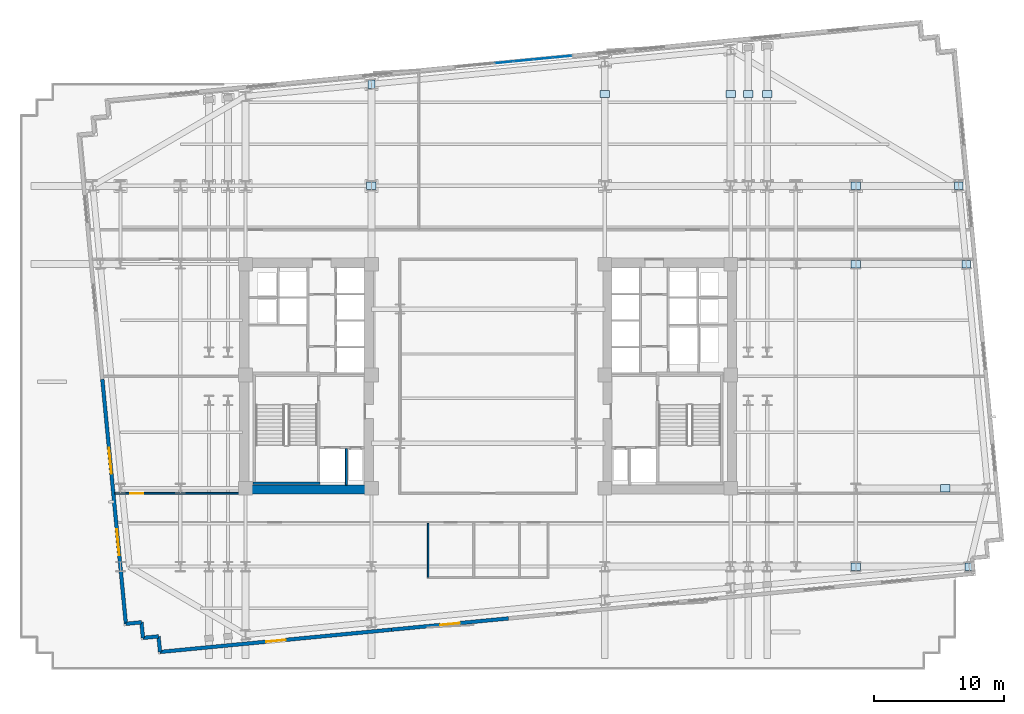
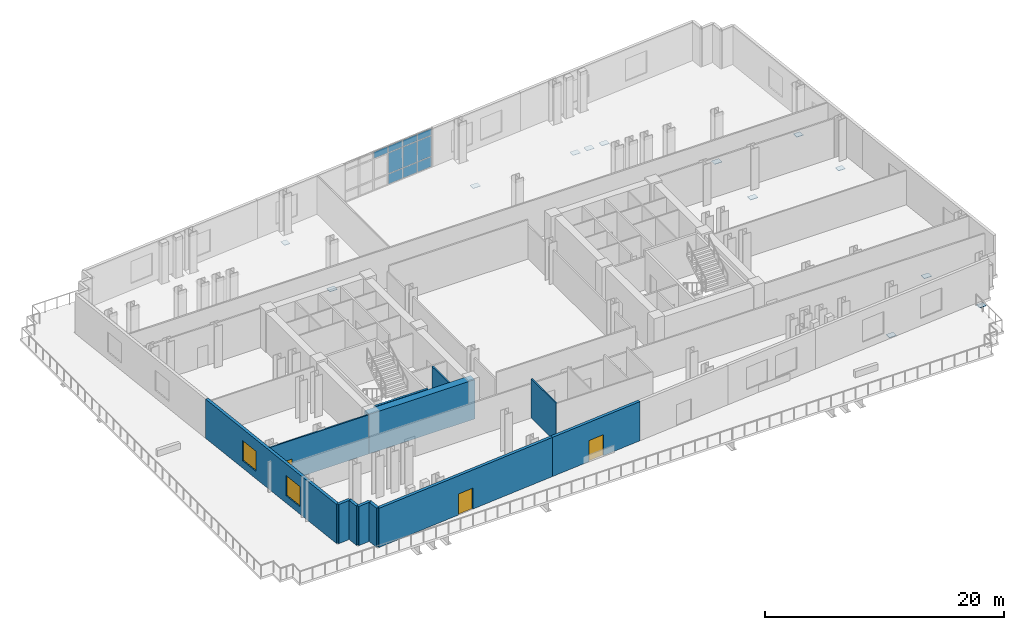
# One storey, part 5 of 14: 23 plates, 12 walls, 3 doors, 2 windows, 5 openings, 1 element without a shape of its own.
"""IFC4 building model written with IfcOpenShell, lengths in metres."""

from ifc_helpers import new_model, si_unit, direction, frame, frame_2d, origin, origin_2d, place, context, subcontext, project, spatial, rectangle, extrude, material, layer, layer_set, type_object, element, fill, aggregate, save


model = new_model("IFC4")

# Units and contexts
model_context = context("Model", 3, precision=1e-05, world=origin(), true_north=direction((0.0, 1.0)))
body_context = subcontext(model_context, "Body", "Model", "MODEL_VIEW")
ifc_project = project(units=[si_unit("LENGTHUNIT", "METRE"), si_unit("AREAUNIT", "SQUARE_METRE"), si_unit("VOLUMEUNIT", "CUBIC_METRE"), si_unit("PLANEANGLEUNIT", "RADIAN"), si_unit("MASSUNIT", "GRAM", prefix="KILO")], contexts=[model_context])

# Site, building, storey
site_placement = place(None, origin())
site = spatial("IfcSite", under=ifc_project, at=site_placement, CompositionType="ELEMENT")
building_placement = place(site_placement, origin())
building = spatial("IfcBuilding", under=site, at=building_placement, Name="Velakula Bourse", CompositionType="ELEMENT")
storey_placement = place(building_placement, frame((0.0, 0.0, 70.0)))
storey = spatial("IfcBuildingStorey", under=building, at=storey_placement, Name="L18", CompositionType="ELEMENT", Elevation=70.0)

# Plates
ifc_material_1 = material(Name="Steel IS 2062 Grade 350 (E350)", Category="steel")
ifc_layer_1 = layer(ifc_material_1, 0.0400390625, Name="Steel IS 2062 Grade 350 (E350)", Category="steel")
ifc_layer_set_1 = layer_set([ifc_layer_1], Name="Steel IS 2062 Grade 350 (E350)")
plate_type_1 = type_object("IfcPlateType", Name="PLT-NODE-TRF", PredefinedType="USERDEFINED", material=ifc_layer_set_1)
plate_1_placement = place(storey_placement, frame((-8.949951171875, 22.398193359375, -1.050048828125), z_axis=(0.0, 0.0, 1.0), x_axis=(0.0, 1.0, 0.0)))
element("IfcPlate", 1, at=plate_1_placement, inside=storey, type_object=plate_type_1, Name="L18 Transfer Raking Strut Head Gusset N2", ObjectType="GUSSET PLATE", PredefinedType="USERDEFINED", context=body_context, shape_type="SweptSolid", body=[
    extrude(rectangle(XDim=0.639892578125, YDim=0.56005859375, at=origin_2d()), origin(), (0.0, 0.0, 1.0), 0.0400390625),
])
for number, where, z_axis, x_axis, name in (
    (2, (-8.949951171875, 14.60009765625, -1.050048828125), (0.0, 0.0, 1.0), (0.0, 1.0, 0.0), "L18 Cantilever Fulcrum Node Gusset Plate N2"),
    (3, (8.949951171875, 21.64990234375, -1.050048828125), (0.0, 0.0, 1.0), (0.0, 1.0, 0.0), "L18 Cantilever Fulcrum Node Gusset Plate N3"),
    (4, (18.60009765625, 21.64990234375, -1.050048828125), (0.0, 0.0, 1.0), (0.0, 1.0, 0.0), "L18 Cantilever Fulcrum Node Gusset Plate N4"),
):
    element("IfcPlate", number, at=place(storey_placement, frame(where, z_axis=z_axis, x_axis=x_axis)), inside=storey, type_object=plate_type_1, Name=name, ObjectType="GUSSET PLATE", PredefinedType="USERDEFINED", context=body_context, shape_type="SweptSolid", body=[
        extrude(rectangle(XDim=0.56005859375, YDim=0.719970703125, at=origin_2d()), origin(), (0.0, 0.0, 1.0), 0.0400390625),
    ])
plate_2_placement = place(storey_placement, frame((36.88818359375, -14.60009765625, -1.050048828125), z_axis=(0.0, 0.0, 1.0), x_axis=(1.0, 0.0, 0.0)))
element("IfcPlate", 5, at=plate_2_placement, inside=storey, type_object=plate_type_1, Name="L18 Transfer Raking Strut Head Gusset E1", ObjectType="GUSSET PLATE", PredefinedType="USERDEFINED", context=body_context, shape_type="SweptSolid", body=[
    extrude(rectangle(XDim=0.639892578125, YDim=0.56005859375, at=origin_2d()), origin(), (0.0, 0.0, 1.0), 0.0400390625),
])
for number, where, z_axis, x_axis, name in (
    (6, (28.199951171875, -14.60009765625, -1.050048828125), (0.0, 0.0, 1.0), (1.0, 0.0, 0.0), "L18 Cantilever Fulcrum Node Gusset Plate E1"),
    (7, (35.050048828125, -8.60009765625, -1.050048828125), (0.0, 0.0, 1.0), (1.0, 0.0, 0.0), "L18 Cantilever Fulcrum Node Gusset Plate E2"),
):
    element("IfcPlate", number, at=place(storey_placement, frame(where, z_axis=z_axis, x_axis=x_axis)), inside=storey, type_object=plate_type_1, Name=name, ObjectType="GUSSET PLATE", PredefinedType="USERDEFINED", context=body_context, shape_type="SweptSolid", body=[
        extrude(rectangle(XDim=0.719970703125, YDim=0.56005859375, at=origin_2d()), origin(), (0.0, 0.0, 1.0), 0.0400390625),
    ])
plate_3_placement = place(storey_placement, frame((36.66357421875, 8.60009765625, -1.050048828125), z_axis=(0.0, 0.0, 1.0), x_axis=(1.0, 0.0, 0.0)))
element("IfcPlate", 8, at=plate_3_placement, inside=storey, type_object=plate_type_1, Name="L18 Transfer Raking Strut Head Gusset E3", ObjectType="GUSSET PLATE", PredefinedType="USERDEFINED", context=body_context, shape_type="SweptSolid", body=[
    extrude(rectangle(XDim=0.639892578125, YDim=0.56005859375, at=origin_2d()), origin(), (0.0, 0.0, 1.0), 0.0400390625),
])
plate_4_placement = place(storey_placement, frame((28.199951171875, 8.60009765625, -1.050048828125), z_axis=(0.0, 0.0, 1.0), x_axis=(1.0, 0.0, 0.0)))
element("IfcPlate", 9, at=plate_4_placement, inside=storey, type_object=plate_type_1, Name="L18 Cantilever Fulcrum Node Gusset Plate E3", ObjectType="GUSSET PLATE", PredefinedType="USERDEFINED", context=body_context, shape_type="SweptSolid", body=[
    extrude(rectangle(XDim=0.719970703125, YDim=0.56005859375, at=origin_2d()), origin(), (0.0, 0.0, 1.0), 0.0400390625),
])
plate_5_placement = place(storey_placement, frame((36.0859375, 14.60009765625, -1.050048828125), z_axis=(0.0, 0.0, 1.0), x_axis=(1.0, 0.0, 0.0)))
element("IfcPlate", 10, at=plate_5_placement, inside=storey, type_object=plate_type_1, Name="L18 Transfer Raking Strut Head Gusset E4", ObjectType="GUSSET PLATE", PredefinedType="USERDEFINED", context=body_context, shape_type="SweptSolid", body=[
    extrude(rectangle(XDim=0.639892578125, YDim=0.56005859375, at=origin_2d()), origin(), (0.0, 0.0, 1.0), 0.0400390625),
])
plate_6_placement = place(storey_placement, frame((28.199951171875, 14.60009765625, -1.050048828125), z_axis=(0.0, 0.0, 1.0), x_axis=(1.0, 0.0, 0.0)))
element("IfcPlate", 11, at=plate_6_placement, inside=storey, type_object=plate_type_1, Name="L18 Cantilever Fulcrum Node Gusset Plate E4", ObjectType="GUSSET PLATE", PredefinedType="USERDEFINED", context=body_context, shape_type="SweptSolid", body=[
    extrude(rectangle(XDim=0.719970703125, YDim=0.56005859375, at=origin_2d()), origin(), (0.0, 0.0, 1.0), 0.0400390625),
])
for number, where, z_axis, x_axis, name in (
    (12, (19.949951171875, 21.64990234375, -1.050048828125), (0.0, 0.0, 1.0), (0.0, 1.0, 0.0), "L18 Cantilever Fulcrum Node Gusset Plate P07"),
    (13, (21.39990234375, 21.64990234375, -1.050048828125), (0.0, 0.0, 1.0), (0.0, 1.0, 0.0), "L18 Cantilever Fulcrum Node Gusset Plate P08"),
):
    element("IfcPlate", number, at=place(storey_placement, frame(where, z_axis=z_axis, x_axis=x_axis)), inside=storey, type_object=plate_type_1, Name=name, ObjectType="GUSSET PLATE", PredefinedType="USERDEFINED", context=body_context, shape_type="SweptSolid", body=[
        extrude(rectangle(XDim=0.56005859375, YDim=0.719970703125, at=origin_2d()), origin(), (0.0, 0.0, 1.0), 0.0400390625),
    ])

# Curtain wall, plates
ifc_material_2 = material(Name="Anodised bronze architectural aluminium", Category="aluminium")
ifc_layer_2 = layer(ifc_material_2, 0.1650390625, Name="Anodised bronze architectural aluminium", Category="aluminium")
ifc_layer_set_2 = layer_set([ifc_layer_2], Name="Anodised bronze architectural aluminium")
curtain_wall_type = type_object("IfcCurtainWallType", Name="CW-SL1", PredefinedType="NOTDEFINED", material=ifc_layer_set_2)
curtain_wall_placement = place(storey_placement, origin())
curtain_wall = element("IfcCurtainWall", 14, at=curtain_wall_placement, inside=storey, type_object=curtain_wall_type, Name="L18 Sky-Lobby Feature Curtain Wall", PredefinedType="NOTDEFINED")
ifc_material_3 = material(Name="Double-glazed solar-control Low-E glass", Category="glass")
ifc_layer_3 = layer(ifc_material_3, 0.02490234375, Name="Double-glazed solar-control Low-E glass", Category="glass")
ifc_layer_set_3 = layer_set([ifc_layer_3], Name="Double-glazed solar-control Low-E glass")
plate_type_2 = type_object("IfcPlateType", Name="PNL-CW-SL1", PredefinedType="CURTAIN_PANEL", material=ifc_layer_set_3)
plate_7_placement = place(storey_placement, frame((1.2177734375, 24.0703125, 3.2802734375), z_axis=(0.0, 0.0, 1.0), x_axis=(0.995396256016, 0.095845153814, 0.0)))
plate_7 = element("IfcPlate", 15, at=plate_7_placement, type_object=plate_type_2, Name="CW-SL1 panel 3.3", PredefinedType="CURTAIN_PANEL", context=body_context, shape_type="SweptSolid", body=[
    extrude(rectangle(XDim=1.43994140625, YDim=0.028076171875, at=origin_2d()), origin(), (0.0, 0.0, 1.0), 0.659912109375),
])
plate_8_placement = place(storey_placement, frame((2.710693359375, 24.214111328125, 0.06005859375), z_axis=(0.0, 0.0, 1.0), x_axis=(0.995396256016, 0.095845153814, 0.0)))
plate_8 = element("IfcPlate", 16, at=plate_8_placement, type_object=plate_type_2, Name="CW-SL1 panel 4.1", PredefinedType="CURTAIN_PANEL", context=body_context, shape_type="SweptSolid", body=[
    extrude(rectangle(XDim=1.43994140625, YDim=0.028076171875, at=origin_2d()), origin(), (0.0, 0.0, 1.0), 1.010009765625),
])
plate_9_placement = place(storey_placement, frame((2.710693359375, 24.214111328125, 1.1298828125), z_axis=(0.0, 0.0, 1.0), x_axis=(0.995396256016, 0.095845153814, 0.0)))
plate_9 = element("IfcPlate", 17, at=plate_9_placement, type_object=plate_type_2, Name="CW-SL1 panel 4.2", PredefinedType="CURTAIN_PANEL", context=body_context, shape_type="SweptSolid", body=[
    extrude(rectangle(XDim=1.43994140625, YDim=0.028076171875, at=origin_2d()), origin(), (0.0, 0.0, 1.0), 2.090087890625),
])
plate_10_placement = place(storey_placement, frame((2.710693359375, 24.214111328125, 3.2802734375), z_axis=(0.0, 0.0, 1.0), x_axis=(0.995396256016, 0.095845153814, 0.0)))
plate_10 = element("IfcPlate", 18, at=plate_10_placement, type_object=plate_type_2, Name="CW-SL1 panel 4.3", PredefinedType="CURTAIN_PANEL", context=body_context, shape_type="SweptSolid", body=[
    extrude(rectangle(XDim=1.43994140625, YDim=0.028076171875, at=origin_2d()), origin(), (0.0, 0.0, 1.0), 0.659912109375),
])
plate_11_placement = place(storey_placement, frame((4.203857421875, 24.35791015625, 0.06005859375), z_axis=(0.0, 0.0, 1.0), x_axis=(0.995396256016, 0.095845153814, 0.0)))
plate_11 = element("IfcPlate", 19, at=plate_11_placement, type_object=plate_type_2, Name="CW-SL1 panel 5.1", PredefinedType="CURTAIN_PANEL", context=body_context, shape_type="SweptSolid", body=[
    extrude(rectangle(XDim=1.43994140625, YDim=0.028076171875, at=origin_2d()), origin(), (0.0, 0.0, 1.0), 1.010009765625),
])
plate_12_placement = place(storey_placement, frame((4.203857421875, 24.35791015625, 1.1298828125), z_axis=(0.0, 0.0, 1.0), x_axis=(0.995396256016, 0.095845153814, 0.0)))
plate_12 = element("IfcPlate", 20, at=plate_12_placement, type_object=plate_type_2, Name="CW-SL1 panel 5.2", PredefinedType="CURTAIN_PANEL", context=body_context, shape_type="SweptSolid", body=[
    extrude(rectangle(XDim=1.43994140625, YDim=0.028076171875, at=origin_2d()), origin(), (0.0, 0.0, 1.0), 2.090087890625),
])
plate_13_placement = place(storey_placement, frame((4.203857421875, 24.35791015625, 3.2802734375), z_axis=(0.0, 0.0, 1.0), x_axis=(0.995396256016, 0.095845153814, 0.0)))
plate_13 = element("IfcPlate", 21, at=plate_13_placement, type_object=plate_type_2, Name="CW-SL1 panel 5.3", PredefinedType="CURTAIN_PANEL", context=body_context, shape_type="SweptSolid", body=[
    extrude(rectangle(XDim=1.43994140625, YDim=0.028076171875, at=origin_2d()), origin(), (0.0, 0.0, 1.0), 0.659912109375),
])
plate_14_placement = place(storey_placement, frame((5.68212890625, 24.500244140625, 0.06005859375), z_axis=(0.0, 0.0, 1.0), x_axis=(0.995396256016, 0.095845153814, 0.0)))
plate_14 = element("IfcPlate", 22, at=plate_14_placement, type_object=plate_type_2, Name="CW-SL1 panel 6.1", PredefinedType="CURTAIN_PANEL", context=body_context, shape_type="SweptSolid", body=[
    extrude(rectangle(XDim=1.409912109375, YDim=0.028076171875, at=origin_2d()), origin(), (0.0, 0.0, 1.0), 1.010009765625),
])
plate_15_placement = place(storey_placement, frame((5.68212890625, 24.500244140625, 1.1298828125), z_axis=(0.0, 0.0, 1.0), x_axis=(0.995396256016, 0.095845153814, 0.0)))
plate_15 = element("IfcPlate", 23, at=plate_15_placement, type_object=plate_type_2, Name="CW-SL1 panel 6.2", PredefinedType="CURTAIN_PANEL", context=body_context, shape_type="SweptSolid", body=[
    extrude(rectangle(XDim=1.409912109375, YDim=0.028076171875, at=origin_2d()), origin(), (0.0, 0.0, 1.0), 2.090087890625),
])
plate_16_placement = place(storey_placement, frame((5.68212890625, 24.500244140625, 3.2802734375), z_axis=(0.0, 0.0, 1.0), x_axis=(0.995396256016, 0.095845153814, 0.0)))
plate_16 = element("IfcPlate", 24, at=plate_16_placement, type_object=plate_type_2, Name="CW-SL1 panel 6.3", PredefinedType="CURTAIN_PANEL", context=body_context, shape_type="SweptSolid", body=[
    extrude(rectangle(XDim=1.409912109375, YDim=0.028076171875, at=origin_2d()), origin(), (0.0, 0.0, 1.0), 0.659912109375),
])
aggregate(curtain_wall, [plate_7, plate_8, plate_9, plate_10, plate_11, plate_12, plate_13, plate_14, plate_15, plate_16])

# Walls
ifc_material_4 = material(Name="Concrete M50 (fck 50 MPa)", Category="concrete")
ifc_layer_4 = layer(ifc_material_4, 0.2099609375, Name="Concrete M50 (fck 50 MPa)", Category="concrete")
ifc_layer_set_4 = layer_set([ifc_layer_4], Name="Concrete M50 (fck 50 MPa)")
wall_type_1 = type_object("IfcWallType", Name="WL-CORE-210", PredefinedType="SHEAR", material=ifc_layer_set_4)
wall_1_placement = place(storey_placement, frame((-18.030029296875, -8.205078125, 0.0), z_axis=(0.0, 0.0, 1.0), x_axis=(1.0, 0.0, 0.0)))
element("IfcWall", 25, at=wall_1_placement, inside=storey, type_object=wall_type_1, Name="L18 Core W Stairwell Shear Wall S", PredefinedType="SHEAR", context=body_context, shape_type="SweptSolid", body=[
    extrude(rectangle(XDim=5.14013671875, YDim=0.2099609375, at=frame_2d((2.570068359375, 0.0))), origin(), (0.0, 0.0, 1.0), 4.02001953125),
])
ifc_material_5 = material(Name="Concrete M70 (fck 70 MPa)", Category="concrete")
ifc_layer_5 = layer(ifc_material_5, 0.699951171875, Name="Concrete M70 (fck 70 MPa)", Category="concrete")
ifc_layer_set_5 = layer_set([ifc_layer_5], Name="Concrete M70 (fck 70 MPa)")
wall_type_2 = type_object("IfcWallType", Name="WL-CORE-700", PredefinedType="SHEAR", material=ifc_layer_set_5)
wall_2_placement = place(storey_placement, frame((-19.050048828125, -8.699951171875, 0.0), z_axis=(0.0, 0.0, 1.0), x_axis=(1.0, 0.0, 0.0)))
element("IfcWall", 26, at=wall_2_placement, inside=storey, type_object=wall_type_2, Name="L18 Core W Shear Wall S", PredefinedType="SHEAR", context=body_context, shape_type="SweptSolid", body=[
    extrude(rectangle(XDim=10.25, YDim=0.699951171875, at=frame_2d((5.125, 0.0))), origin(), (0.0, 0.0, 1.0), 4.02001953125),
])

# Wall, opening, door
ifc_material_6 = material(Name="Red kilned clay facing brick masonry", Category="masonry")
ifc_layer_6 = layer(ifc_material_6, 0.280029296875, Name="Red kilned clay facing brick masonry", Category="masonry")
ifc_layer_set_6 = layer_set([ifc_layer_6], Name="Red kilned clay facing brick masonry")
wall_type_3 = type_object("IfcWallType", Name="WL-EXT-BRK-280", PredefinedType="STANDARD", material=ifc_layer_set_6)
wall_3_placement = place(storey_placement, frame((-7.402099609375, -19.43603515625, 0.0), z_axis=(0.0, 0.0, 1.0), x_axis=(-0.995395780835, -0.095850088663, 0.0)))
wall_3 = element("IfcWall", 27, at=wall_3_placement, inside=storey, type_object=wall_type_3, Name="L18 S Brick Spandrel Wall B1", PredefinedType="STANDARD", context=body_context, shape_type="SweptSolid", body=[
    extrude(rectangle(XDim=17.83984375, YDim=0.280029296875, at=frame_2d((8.919921875, 0.0))), origin(), (0.0, 0.0, 1.0), 4.0),
])
opening_1_placement = place(wall_3_placement, frame((8.169921875, 0.0, 0.0)))
opening_1 = element("IfcOpeningElement", 28, at=opening_1_placement, cuts=wall_3, Name="Opening D-TR1", PredefinedType="OPENING", context=body_context, shape_type="SweptSolid", body=[
    extrude(rectangle(XDim=1.5, YDim=2.14990234375, at=frame_2d((0.75, 1.074951171875))), frame((0.0, 0.14990234375, 0.0), z_axis=(0.0, -1.0, 0.0), x_axis=(1.0, 0.0, 0.0)), (0.0, 0.0, 1.0), 0.300048828125),
])
door_type_1 = type_object("IfcDoorType", Name="DR-EXT-TERR-1500", OperationType="DOUBLE_DOOR_SINGLE_SWING", PredefinedType="DOOR", material=ifc_material_2)
door_1_placement = place(opening_1_placement, origin())
door_1 = element("IfcDoor", 29, at=door_1_placement, inside=storey, type_object=door_type_1, Name="L18 Sky-Garden Terrace Access Door 1", OperationType="DOUBLE_DOOR_SINGLE_SWING", OverallHeight=2.14990234375, OverallWidth=1.5, PredefinedType="DOOR", context=body_context, shape_type="SweptSolid", body=[
    extrude(rectangle(XDim=1.5, YDim=2.14990234375, at=frame_2d((0.75, 1.074951171875))), frame((0.0, 0.02490234375, 0.0), z_axis=(0.0, -1.0, 0.0), x_axis=(1.0, 0.0, 0.0)), (0.0, 0.0, 1.0), 0.050048828125),
])
fill(opening_1, door_1)

wall_4_placement = place(storey_placement, frame((1.556396484375, -18.573486328125, 0.0), z_axis=(0.0, 0.0, 1.0), x_axis=(-0.995396794462, -0.09583956164, 0.0)))
wall_4 = element("IfcWall", 30, at=wall_4_placement, inside=storey, type_object=wall_type_3, Name="L18 S Brick Spandrel Wall B2", PredefinedType="STANDARD", context=body_context, shape_type="SweptSolid", body=[
    extrude(rectangle(XDim=9.0, YDim=0.280029296875, at=frame_2d((4.5, 0.0))), origin(), (0.0, 0.0, 1.0), 4.0),
])
opening_2_placement = place(wall_4_placement, frame((3.75, 0.0, 0.0)))
opening_2 = element("IfcOpeningElement", 31, at=opening_2_placement, cuts=wall_4, Name="Opening D-TR1", PredefinedType="OPENING", context=body_context, shape_type="SweptSolid", body=[
    extrude(rectangle(XDim=1.5, YDim=2.14990234375, at=frame_2d((0.75, 1.074951171875))), frame((0.0, 0.14990234375, 0.0), z_axis=(0.0, -1.0, 0.0), x_axis=(1.0, 0.0, 0.0)), (0.0, 0.0, 1.0), 0.300048828125),
])
door_2_placement = place(opening_2_placement, origin())
door_2 = element("IfcDoor", 32, at=door_2_placement, inside=storey, type_object=door_type_1, Name="L18 Sky-Garden Terrace Access Door 2", OperationType="DOUBLE_DOOR_SINGLE_SWING", OverallHeight=2.14990234375, OverallWidth=1.5, PredefinedType="DOOR", context=body_context, shape_type="SweptSolid", body=[
    extrude(rectangle(XDim=1.5, YDim=2.14990234375, at=frame_2d((0.75, 1.074951171875))), frame((0.0, 0.02490234375, 0.0), z_axis=(0.0, -1.0, 0.0), x_axis=(1.0, 0.0, 0.0)), (0.0, 0.0, 1.0), 0.050048828125),
])
fill(opening_2, door_2)

# Wall, openings, windows
wall_5_placement = place(storey_placement, frame((-27.779052734375, -18.987060546875, 0.0), z_axis=(0.0, 0.0, 1.0), x_axis=(-0.095842534142, 0.995396508256, 0.0)))
wall_5 = element("IfcWall", 33, at=wall_5_placement, inside=storey, type_object=wall_type_3, Name="L18 W Brick End Wall W1", PredefinedType="STANDARD", context=body_context, shape_type="SweptSolid", body=[
    extrude(rectangle(XDim=18.83984375, YDim=0.280029296875, at=frame_2d((9.419921875, 0.0))), origin(), (0.0, 0.0, 1.0), 4.0),
])
opening_3_placement = place(wall_5_placement, frame((5.280029296875, 0.0, 0.760009765625)))
opening_3 = element("IfcOpeningElement", 34, at=opening_3_placement, cuts=wall_5, Name="Opening W-05", PredefinedType="OPENING", context=body_context, shape_type="SweptSolid", body=[
    extrude(rectangle(XDim=2.0, YDim=2.050048828125, at=frame_2d((1.0, 1.02490234375))), frame((0.0, 0.14990234375, 0.0), z_axis=(0.0, -1.0, 0.0), x_axis=(1.0, 0.0, 0.0)), (0.0, 0.0, 1.0), 0.300048828125),
])
opening_4_placement = place(wall_5_placement, frame((11.56005859375, 0.0, 0.760009765625)))
opening_4 = element("IfcOpeningElement", 35, at=opening_4_placement, cuts=wall_5, Name="Opening W-05", PredefinedType="OPENING", context=body_context, shape_type="SweptSolid", body=[
    extrude(rectangle(XDim=2.0, YDim=2.050048828125, at=frame_2d((1.0, 1.02490234375))), frame((0.0, 0.14990234375, 0.0), z_axis=(0.0, -1.0, 0.0), x_axis=(1.0, 0.0, 0.0)), (0.0, 0.0, 1.0), 0.300048828125),
])
window_type = type_object("IfcWindowType", Name="WIN-TWR-2000x2200", PartitioningType="DOUBLE_PANEL_VERTICAL", PredefinedType="WINDOW", material=ifc_material_3)
window_1_placement = place(opening_3_placement, origin())
window_1 = element("IfcWindow", 36, at=window_1_placement, inside=storey, type_object=window_type, Name="L18 Deep-Set Recessed Window 1", OverallHeight=2.050048828125, OverallWidth=2.0, PartitioningType="DOUBLE_PANEL_VERTICAL", PredefinedType="WINDOW", context=body_context, shape_type="SweptSolid", body=[
    extrude(rectangle(XDim=2.0, YDim=2.050048828125, at=frame_2d((1.0, 1.02490234375))), frame((0.0, 0.030029296875, 0.0), z_axis=(0.0, -1.0, 0.0), x_axis=(1.0, 0.0, 0.0)), (0.0, 0.0, 1.0), 0.06005859375),
])
fill(opening_3, window_1)
window_2_placement = place(opening_4_placement, origin())
window_2 = element("IfcWindow", 37, at=window_2_placement, inside=storey, type_object=window_type, Name="L18 Deep-Set Recessed Window 2", OverallHeight=2.050048828125, OverallWidth=2.0, PartitioningType="DOUBLE_PANEL_VERTICAL", PredefinedType="WINDOW", context=body_context, shape_type="SweptSolid", body=[
    extrude(rectangle(XDim=2.0, YDim=2.050048828125, at=frame_2d((1.0, 1.02490234375))), frame((0.0, 0.030029296875, 0.0), z_axis=(0.0, -1.0, 0.0), x_axis=(1.0, 0.0, 0.0)), (0.0, 0.0, 1.0), 0.06005859375),
])
fill(opening_4, window_2)

# Walls
for number, where, z_axis, x_axis, name in (
    (38, (-27.779052734375, -18.987060546875, 0.0), (0.0, 0.0, 1.0), (0.995398960025, 0.095817067274, 0.0), "L18 Serrated Corner Brick Wall SW-1"),
    (39, (-26.58447265625, -18.8720703125, 0.0), (0.0, 0.0, 1.0), (0.095817067274, -0.995398960025, 0.0), "L18 Serrated Corner Brick Wall SW-2"),
    (40, (-26.469482421875, -20.066650390625, 0.0), (0.0, 0.0, 1.0), (0.995398960025, 0.095817067274, 0.0), "L18 Serrated Corner Brick Wall SW-3"),
):
    element("IfcWall", number, at=place(storey_placement, frame(where, z_axis=z_axis, x_axis=x_axis)), inside=storey, type_object=wall_type_3, Name=name, PredefinedType="STANDARD", context=body_context, shape_type="SweptSolid", body=[
        extrude(rectangle(XDim=1.2001953125, YDim=0.280029296875, at=frame_2d((0.60009765625, 0.0))), origin(), (0.0, 0.0, 1.0), 4.0),
    ])
wall_6_placement = place(storey_placement, frame((-25.27490234375, -19.95166015625, 0.0), z_axis=(0.0, 0.0, 1.0), x_axis=(0.095836473879, -0.995397091755, 0.0)))
element("IfcWall", 41, at=wall_6_placement, inside=storey, type_object=wall_type_3, Name="L18 Serrated Corner Brick Wall SW-4", PredefinedType="STANDARD", context=body_context, shape_type="SweptSolid", body=[
    extrude(rectangle(XDim=1.199951171875, YDim=0.280029296875, at=frame_2d((0.60009765625, 0.0))), origin(), (0.0, 0.0, 1.0), 4.0),
])
ifc_material_7 = material(Name="Fire-rated double-layer gypsum drywall partition", Category="gypsum")
ifc_layer_7 = layer(ifc_material_7, 0.1201171875, Name="Fire-rated double-layer gypsum drywall partition", Category="gypsum")
ifc_layer_set_7 = layer_set([ifc_layer_7], Name="Fire-rated double-layer gypsum drywall partition")
wall_type_4 = type_object("IfcWallType", Name="WL-PART-120", PredefinedType="STANDARD", material=ifc_layer_set_7)
wall_7_placement = place(storey_placement, frame((-4.60009765625, -15.419921875, 0.0), z_axis=(0.0, 0.0, 1.0), x_axis=(0.0, 1.0, 0.0)))
element("IfcWall", 42, at=wall_7_placement, inside=storey, type_object=wall_type_4, Name="L18 Interior Partition WL-WC-L18-V1", PredefinedType="STANDARD", context=body_context, shape_type="SweptSolid", body=[
    extrude(rectangle(XDim=4.1298828125, YDim=0.1201171875, at=frame_2d((2.06494140625, 0.0))), origin(), (0.0, 0.0, 1.0), 4.0),
])

# Wall, opening, door
ifc_layer_8 = layer(ifc_material_7, 0.139892578125, Name="Fire-rated double-layer gypsum drywall partition", Category="gypsum")
ifc_layer_set_8 = layer_set([ifc_layer_8], Name="Fire-rated double-layer gypsum drywall partition")
wall_type_5 = type_object("IfcWallType", Name="WL-PART-140", PredefinedType="STANDARD", material=ifc_layer_set_8)
wall_8_placement = place(storey_placement, frame((-28.6220703125, -8.97998046875, 0.0), z_axis=(0.0, 0.0, 1.0), x_axis=(1.0, 0.0, 0.0)))
wall_8 = element("IfcWall", 43, at=wall_8_placement, inside=storey, type_object=wall_type_5, Name="L18 Interior Partition WL-INT-L18-W-SC", PredefinedType="STANDARD", context=body_context, shape_type="SweptSolid", body=[
    extrude(rectangle(XDim=9.572021484375, YDim=0.139892578125, at=frame_2d((4.7861328125, 0.0))), origin(), (0.0, 0.0, 1.0), 4.0),
])
opening_5_placement = place(wall_8_placement, frame((1.177490234375, 0.0, 0.0)))
opening_5 = element("IfcOpeningElement", 44, at=opening_5_placement, cuts=wall_8, Name="Opening D-OF1", PredefinedType="OPENING", context=body_context, shape_type="SweptSolid", body=[
    extrude(rectangle(XDim=1.0, YDim=2.080078125, at=frame_2d((0.5, 1.0400390625))), frame((0.0, 0.079833984375, 0.0), z_axis=(0.0, -1.0, 0.0), x_axis=(1.0, 0.0, 0.0)), (0.0, 0.0, 1.0), 0.159912109375),
])
ifc_material_8 = material(Name="Fire-rated hardwood flush architectural door", Category="wood")
door_type_2 = type_object("IfcDoorType", Name="DR-OFF-1000", OperationType="NOTDEFINED", PredefinedType="DOOR", material=ifc_material_8)
door_3_placement = place(opening_5_placement, origin())
door_3 = element("IfcDoor", 45, at=door_3_placement, inside=storey, type_object=door_type_2, Name="L18 Market Surveillance Control Workspace Door", OperationType="SINGLE_SWING_LEFT", OverallHeight=2.080078125, OverallWidth=1.0, PredefinedType="DOOR", context=body_context, shape_type="SweptSolid", body=[
    extrude(rectangle(XDim=1.0, YDim=2.080078125, at=frame_2d((0.5, 1.0400390625))), frame((0.0, 0.02490234375, 0.0), z_axis=(0.0, -1.0, 0.0), x_axis=(1.0, 0.0, 0.0)), (0.0, 0.0, 1.0), 0.050048828125),
])
fill(opening_5, door_3)

# Wall
ifc_material_9 = material(Name="Autoclaved aerated concrete blockwork masonry", Category="masonry")
ifc_layer_9 = layer(ifc_material_9, 0.14990234375, Name="Autoclaved aerated concrete blockwork masonry", Category="masonry")
ifc_layer_set_9 = layer_set([ifc_layer_9], Name="Autoclaved aerated concrete blockwork masonry")
wall_type_6 = type_object("IfcWallType", Name="WL-SHAFT-150", PredefinedType="STANDARD", material=ifc_layer_set_9)
wall_9_placement = place(storey_placement, frame((-10.875, -8.35009765625, 0.0), z_axis=(0.0, 0.0, 1.0), x_axis=(0.0, 1.0, 0.0)))
element("IfcWall", 46, at=wall_9_placement, inside=storey, type_object=wall_type_6, Name="L18 Interior Partition WL-CRW-L18-FR-DIV", PredefinedType="STANDARD", context=body_context, shape_type="SweptSolid", body=[
    extrude(rectangle(XDim=2.800048828125, YDim=0.14990234375, at=frame_2d((1.39990234375, 0.0))), origin(), (0.0, 0.0, 1.0), 4.0),
])

save(model, "model.ifc")
